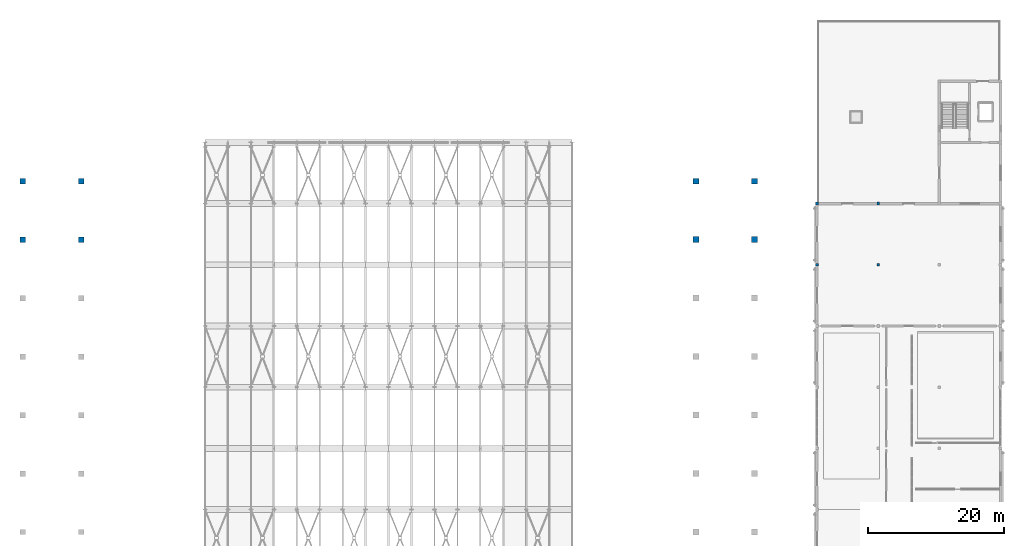
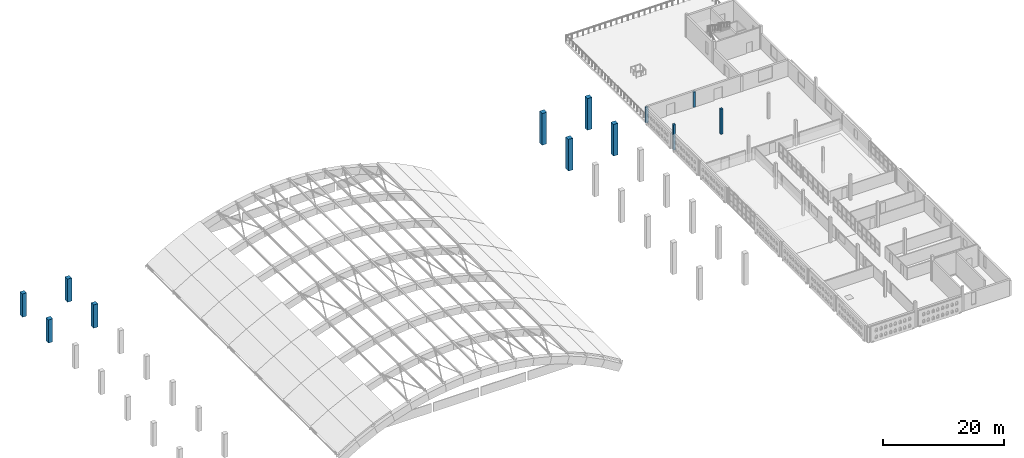
# One storey, part 2 of 30: 12 columns.
"""IFC4 building model written with IfcOpenShell, lengths in metres."""

from ifc_helpers import new_model, si_unit, direction, frame, origin, origin_2d, place, context, subcontext, project, spatial, rectangle, extrude, material, material_profile, profile_set, type_object, element, save


model = new_model("IFC4")

# Units and contexts
model_context = context("Model", 3, precision=1e-05, world=origin(), true_north=direction((0.0, 1.0)))
body_context = subcontext(model_context, "Body", "Model", "MODEL_VIEW")
ifc_project = project(units=[si_unit("LENGTHUNIT", "METRE"), si_unit("AREAUNIT", "SQUARE_METRE"), si_unit("VOLUMEUNIT", "CUBIC_METRE"), si_unit("PLANEANGLEUNIT", "RADIAN"), si_unit("MASSUNIT", "GRAM", prefix="KILO")], contexts=[model_context])

# Site, building, storey
site_placement = place(None, origin())
site = spatial("IfcSite", under=ifc_project, at=site_placement, CompositionType="ELEMENT")
building_placement = place(site_placement, origin())
building = spatial("IfcBuilding", under=site, at=building_placement, Name="Ornek Quay Market", CompositionType="ELEMENT")
storey_placement = place(building_placement, frame((0.0, 0.0, 12.0)))
storey = spatial("IfcBuildingStorey", under=building, at=storey_placement, Name="L03", CompositionType="ELEMENT", Elevation=12.0)

# Columns
ifc_material = material(Name="Concrete C40/50", Category="concrete")
ifc_material_profile_1 = material_profile(ifc_material, rectangle(XDim=0.39990234375, YDim=0.39990234375, at=origin_2d()), Name="RC 400x400", Category="concrete")
ifc_profile_set_1 = profile_set([ifc_material_profile_1], Name="Concrete C40/50")
column_type_1 = type_object("IfcColumnType", Name="COL-RC-400x400", PredefinedType="COLUMN", material=ifc_profile_set_1)
column_1_placement = place(storey_placement, frame((153.0, 74.0, 0.0), z_axis=(0.0, 0.0, 1.0), x_axis=(1.0, 0.0, 0.0)))
element("IfcColumn", 1, at=column_1_placement, inside=storey, type_object=column_type_1, Name="Column C-40-008", PredefinedType="COLUMN", context=body_context, shape_type="SweptSolid", body=[
    extrude(rectangle(XDim=0.39990234375, YDim=0.39990234375, at=origin_2d()), origin(), (0.0, 0.0, 1.0), 5.10009765625),
])
column_2_placement = place(storey_placement, frame((153.0, 83.0, 0.0), z_axis=(0.0, 0.0, 1.0), x_axis=(1.0, 0.0, 0.0)))
element("IfcColumn", 2, at=column_2_placement, inside=storey, type_object=column_type_1, Name="Column C-40-009", PredefinedType="COLUMN", context=body_context, shape_type="SweptSolid", body=[
    extrude(rectangle(XDim=0.39990234375, YDim=0.39990234375, at=origin_2d()), origin(), (0.0, 0.0, 1.0), 3.10009765625),
])
column_3_placement = place(storey_placement, frame((162.0, 74.0, 0.0), z_axis=(0.0, 0.0, 1.0), x_axis=(1.0, 0.0, 0.0)))
element("IfcColumn", 3, at=column_3_placement, inside=storey, type_object=column_type_1, Name="Column C-40-017", PredefinedType="COLUMN", context=body_context, shape_type="SweptSolid", body=[
    extrude(rectangle(XDim=0.39990234375, YDim=0.39990234375, at=origin_2d()), origin(), (0.0, 0.0, 1.0), 5.10009765625),
])
column_4_placement = place(storey_placement, frame((162.0, 83.0, 0.0), z_axis=(0.0, 0.0, 1.0), x_axis=(1.0, 0.0, 0.0)))
element("IfcColumn", 4, at=column_4_placement, inside=storey, type_object=column_type_1, Name="Column C-40-018", PredefinedType="COLUMN", context=body_context, shape_type="SweptSolid", body=[
    extrude(rectangle(XDim=0.39990234375, YDim=0.39990234375, at=origin_2d()), origin(), (0.0, 0.0, 1.0), 3.10009765625),
])
ifc_material_profile_2 = material_profile(ifc_material, rectangle(XDim=0.800048828125, YDim=0.800048828125, at=origin_2d()), Name="RC 800x800", Category="concrete")
ifc_profile_set_2 = profile_set([ifc_material_profile_2], Name="Concrete C40/50")
column_type_2 = type_object("IfcColumnType", Name="COL-UMB-800x800", PredefinedType="COLUMN", material=ifc_profile_set_2)
for number, where, z_axis, x_axis, name in (
    (5, (36.199951171875, 77.699951171875, 0.0), (0.0, 0.0, 1.0), (1.0, 0.0, 0.0), "Umbrella column UMB-W06 (L03)"),
    (6, (36.199951171875, 86.300048828125, 0.0), (0.0, 0.0, 1.0), (1.0, 0.0, 0.0), "Umbrella column UMB-W07 (L03)"),
    (7, (44.800048828125, 77.699951171875, 0.0), (0.0, 0.0, 1.0), (1.0, 0.0, 0.0), "Umbrella column UMB-W13 (L03)"),
    (8, (44.800048828125, 86.300048828125, 0.0), (0.0, 0.0, 1.0), (1.0, 0.0, 0.0), "Umbrella column UMB-W14 (L03)"),
):
    element("IfcColumn", number, at=place(storey_placement, frame(where, z_axis=z_axis, x_axis=x_axis)), inside=storey, type_object=column_type_2, Name=name, PredefinedType="COLUMN", context=body_context, shape_type="SweptSolid", body=[
        extrude(rectangle(XDim=0.800048828125, YDim=0.800048828125, at=origin_2d()), origin(), (0.0, 0.0, 1.0), 4.679931640625),
    ])
ifc_material_profile_3 = material_profile(ifc_material, rectangle(XDim=0.85009765625, YDim=0.85009765625, at=origin_2d()), Name="RC 850x850", Category="concrete")
ifc_profile_set_3 = profile_set([ifc_material_profile_3], Name="Concrete C40/50")
column_type_3 = type_object("IfcColumnType", Name="COL-UMB-850x850", PredefinedType="COLUMN", material=ifc_profile_set_3)
for number, where, z_axis, x_axis, name in (
    (9, (135.199951171875, 77.699951171875, 0.0), (0.0, 0.0, 1.0), (1.0, 0.0, 0.0), "Umbrella column UMB-E06 (L03)"),
    (10, (135.199951171875, 86.300048828125, 0.0), (0.0, 0.0, 1.0), (1.0, 0.0, 0.0), "Umbrella column UMB-E07 (L03)"),
    (11, (143.800048828125, 77.699951171875, 0.0), (0.0, 0.0, 1.0), (1.0, 0.0, 0.0), "Umbrella column UMB-E13 (L03)"),
    (12, (143.800048828125, 86.300048828125, 0.0), (0.0, 0.0, 1.0), (1.0, 0.0, 0.0), "Umbrella column UMB-E14 (L03)"),
):
    element("IfcColumn", number, at=place(storey_placement, frame(where, z_axis=z_axis, x_axis=x_axis)), inside=storey, type_object=column_type_3, Name=name, PredefinedType="COLUMN", context=body_context, shape_type="SweptSolid", body=[
        extrude(rectangle(XDim=0.85009765625, YDim=0.85009765625, at=origin_2d()), origin(), (0.0, 0.0, 1.0), 6.3798828125),
    ])

save(model, "model.ifc")
